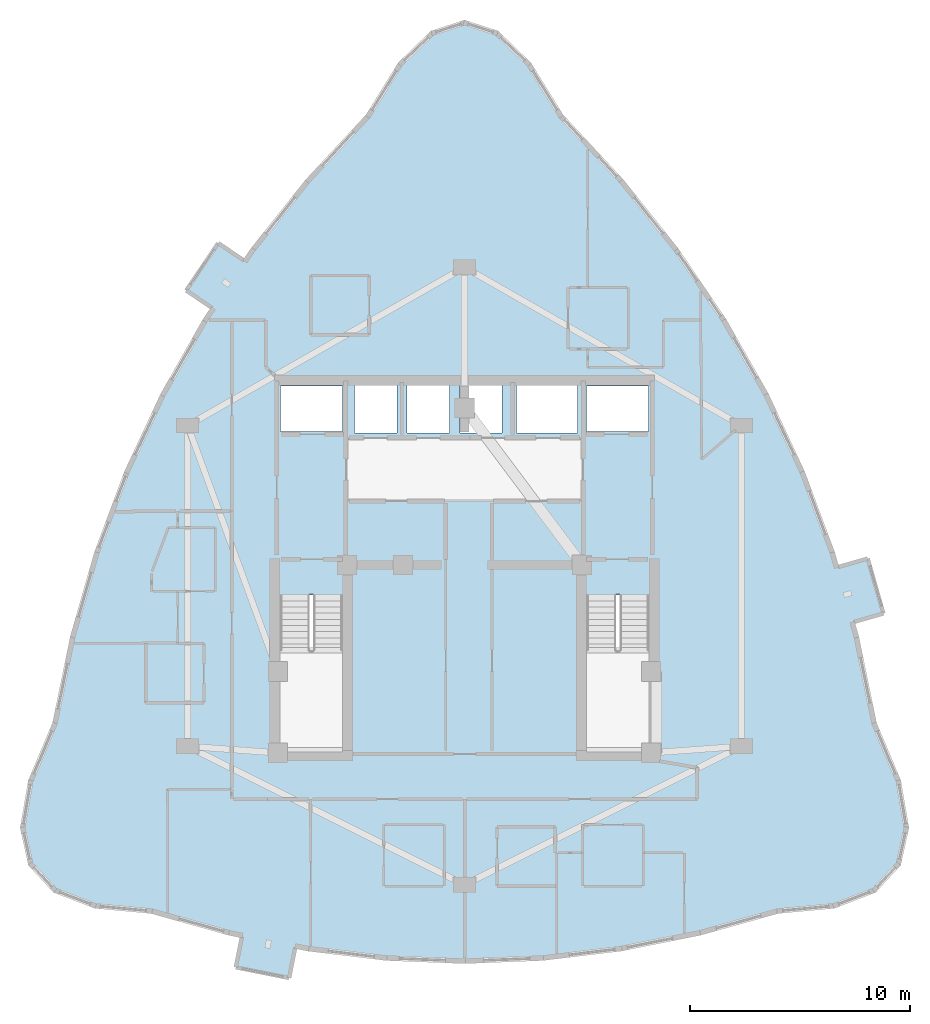
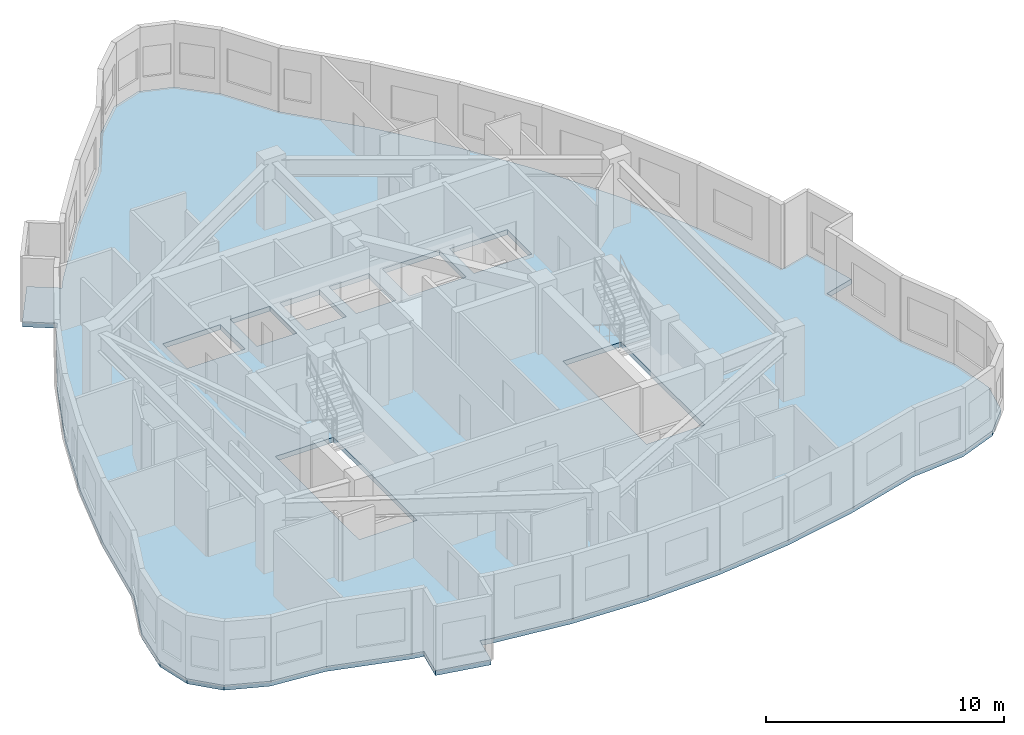
# One storey, part 5 of 13: 1 slab.
"""IFC4 building model written with IfcOpenShell, lengths in metres."""

from ifc_helpers import new_model, si_unit, direction, frame, origin, place, context, subcontext, project, spatial, polyline, outline, extrude, material, layer, layer_set, type_object, element, save


model = new_model("IFC4")

# Units and contexts
model_context = context("Model", 3, precision=1e-05, world=origin(), true_north=direction((0.0, 1.0)))
body_context = subcontext(model_context, "Body", "Model", "MODEL_VIEW")
ifc_project = project(units=[si_unit("LENGTHUNIT", "METRE"), si_unit("AREAUNIT", "SQUARE_METRE"), si_unit("VOLUMEUNIT", "CUBIC_METRE"), si_unit("PLANEANGLEUNIT", "RADIAN"), si_unit("MASSUNIT", "GRAM", prefix="KILO")], contexts=[model_context])

# Site, building, storey
site_placement = place(None, origin())
site = spatial("IfcSite", under=ifc_project, at=site_placement, CompositionType="ELEMENT")
building_placement = place(site_placement, origin())
building = spatial("IfcBuilding", under=site, at=building_placement, Name="Miruveldt Soraemaru", CompositionType="ELEMENT")
storey_placement = place(building_placement, frame((0.0, 0.0, 198.0)))
storey = spatial("IfcBuildingStorey", under=building, at=storey_placement, Name="L54", CompositionType="ELEMENT", Elevation=198.0)

# Slab
ifc_material = material(Name="Concrete C40/50 (40 MPa)", Category="concrete")
ifc_layer = layer(ifc_material, 0.2548828125, Name="Concrete C40/50 (40 MPa)", Category="concrete")
ifc_layer_set = layer_set([ifc_layer], Name="Concrete C40/50 (40 MPa)")
slab_type = type_object("IfcSlabType", Name="SLAB-RES3-255", PredefinedType="FLOOR", material=ifc_layer_set)
slab_placement = place(storey_placement, frame((0.0, 0.0, -0.2548828125)))
element("IfcSlab", 1, at=slab_placement, inside=storey, type_object=slab_type, Name="L54 Structural Floor Slab", PredefinedType="FLOOR", context=body_context, shape_type="SweptSolid", body=[
    extrude(outline(polyline([(33.591796875, 25.7412109375), (33.882080078125, 27.1923828125), (35.093505859375, 26.9501953125), (33.312255859375, 27.306396484375), (29.749755859375, 28.303955078125), (27.187255859375, 28.540771484375), (25.356689453125, 29.2509765625), (24.258544921875, 30.4345703125), (23.892333984375, 32.091552734375), (24.258544921875, 34.22216796875), (25.356689453125, 36.825927734375), (26.17041015625, 40.7802734375), (27.2607421875, 44.592041015625), (28.627197265625, 48.26123046875), (30.270263671875, 51.7880859375), (32.189697265625, 55.17236328125), (33.287841796875, 56.793212890625), (32.55859375, 55.716796875), (31.33349609375, 56.547119140625), (32.79150390625, 58.699462890625), (34.016845703125, 57.869384765625), (34.3857421875, 58.4140625), (36.858154296875, 61.51318359375), (39.60693359375, 64.469970703125), (41.0712890625, 66.837158203125), (42.53564453125, 68.257568359375), (44.0, 68.73095703125), (45.46435546875, 68.257568359375), (46.9287109375, 66.837158203125), (48.39306640625, 64.469970703125), (51.141845703125, 61.51318359375), (53.6142578125, 58.4140625), (55.810302734375, 55.17236328125), (57.729736328125, 51.7880859375), (59.372802734375, 48.26123046875), (60.7392578125, 44.592041015625), (60.927001953125, 43.93603515625), (62.349853515625, 44.343017578125), (63.064697265625, 41.84326171875), (61.641845703125, 41.436279296875), (61.284423828125, 42.686279296875), (61.82958984375, 40.7802734375), (62.643310546875, 36.825927734375), (63.741455078125, 34.22216796875), (64.107666015625, 32.091552734375), (63.741455078125, 30.4345703125), (62.643310546875, 29.2509765625), (60.812744140625, 28.540771484375), (58.250244140625, 28.303955078125), (54.687744140625, 27.306396484375), (51.125, 26.593994140625), (47.5625, 26.16650390625), (44.0, 26.02392578125), (40.4375, 26.16650390625), (36.875, 26.593994140625), (36.30517578125, 26.7080078125), (36.014892578125, 25.256591796875), (33.591796875, 25.7412109375)]), holes=[polyline([(35.614990234375, 35.6650390625), (38.43505859375, 35.6650390625), (38.43505859375, 42.68505859375), (35.614990234375, 42.68505859375), (35.614990234375, 35.6650390625)]), polyline([(49.56494140625, 35.6650390625), (52.385009765625, 35.6650390625), (52.385009765625, 42.68505859375), (49.56494140625, 42.68505859375), (49.56494140625, 35.6650390625)]), polyline([(38.445068359375, 50.135009765625), (38.445068359375, 52.205078125), (35.635009765625, 52.205078125), (35.635009765625, 50.135009765625), (38.445068359375, 50.135009765625)]), polyline([(52.364990234375, 50.135009765625), (52.364990234375, 52.205078125), (49.554931640625, 52.205078125), (49.554931640625, 50.135009765625), (52.364990234375, 50.135009765625)]), polyline([(40.9150390625, 50.06494140625), (40.9150390625, 52.3349609375), (38.985107421875, 52.3349609375), (38.985107421875, 50.06494140625), (40.9150390625, 50.06494140625)]), polyline([(43.31494140625, 50.06494140625), (43.31494140625, 52.3349609375), (41.385009765625, 52.3349609375), (41.385009765625, 50.06494140625), (43.31494140625, 50.06494140625)]), polyline([(45.715087890625, 50.06494140625), (45.715087890625, 52.3349609375), (43.784912109375, 52.3349609375), (43.784912109375, 50.06494140625), (45.715087890625, 50.06494140625)]), polyline([(49.135009765625, 50.06494140625), (49.135009765625, 52.3349609375), (46.364990234375, 52.3349609375), (46.364990234375, 50.06494140625), (49.135009765625, 50.06494140625)])]), origin(), (0.0, 0.0, 1.0), 0.2548828125),
])

save(model, "model.ifc")
